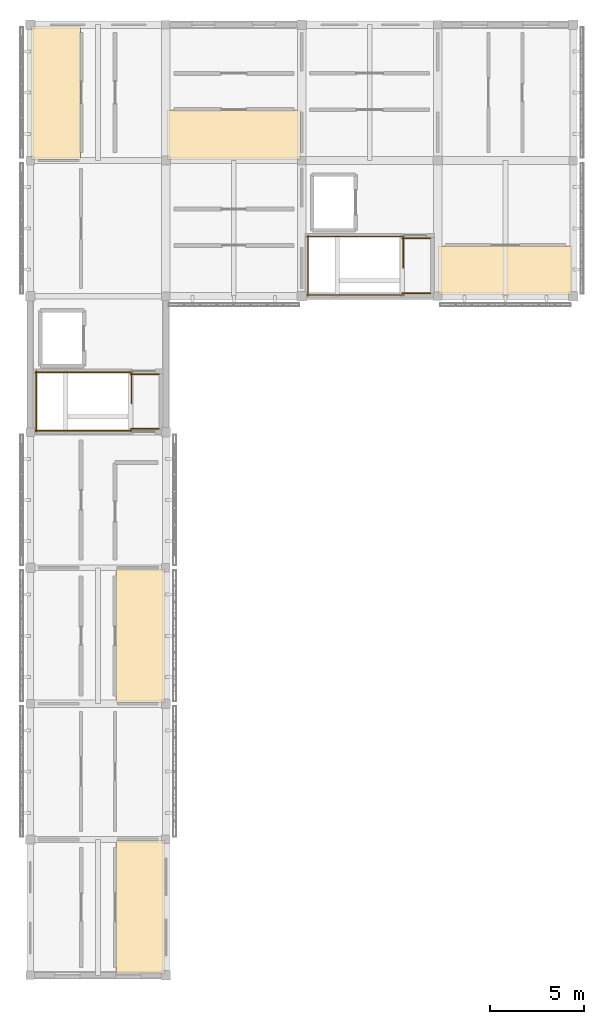
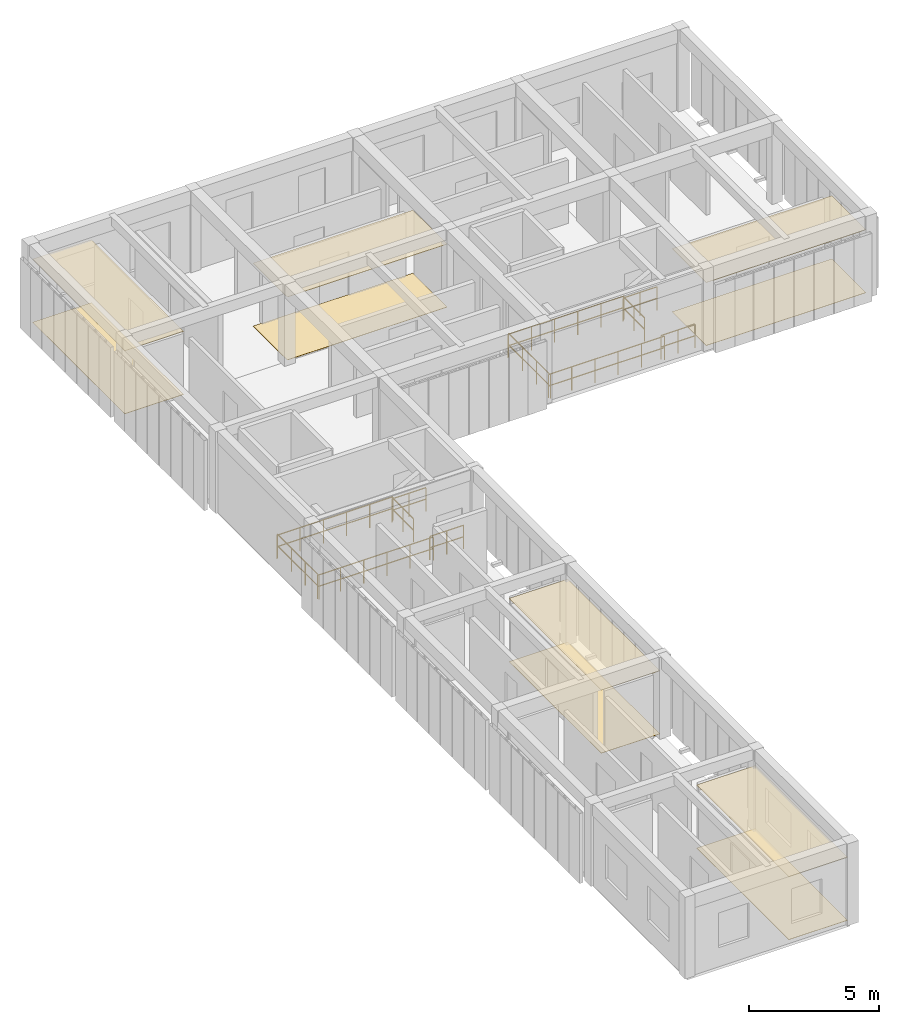
# One storey, part 14 of 14: 12 railings, 10 coverings.
"""IFC4 building model written with IfcOpenShell, lengths in metres."""

import ifcopenshell
import ifcopenshell.guid

model = None  # the IFC model being written
_history = None  # IfcOwnerHistory: only IFC2X3 demands one
_inside = {}  # id of a spatial element -> (the spatial element, [elements in it])
_under = {}  # id of a project, library or spatial element -> (it, [spatial elements below it])
_declared = {}  # id of a project -> (the project, [libraries it declares])
_typed = {}  # id of a type object -> (the type object, [elements of that type])
_made_of = {}  # id of a material, layer set ... -> (it, [elements and type objects made of it])


def new_model(schema):
    """Start an empty IFC model of exactly this schema.

    Asked for "IFC4X3", IfcOpenShell would pick the latest addendum, in which some entities
    have other attributes; the version numbers below select the first issue.
    IFC2X3 requires an IfcOwnerHistory on every rooted entity: one is made here for all.
    """
    global model, _history
    if schema == "IFC4X3":
        model = ifcopenshell.file(schema_version=(4, 3, 0, 0))
    else:
        model = ifcopenshell.file(schema=schema)
    _inside.clear()
    _under.clear()
    _declared.clear()
    _typed.clear()
    _made_of.clear()
    _history = None
    if model.schema == "IFC2X3":
        org = make("IfcOrganization", Name="unknown")
        user = make(
            "IfcPersonAndOrganization",
            ThePerson=make("IfcPerson", FamilyName="unknown"),
            TheOrganization=org,
        )
        app = make(
            "IfcApplication",
            ApplicationDeveloper=org,
            Version="unknown",
            ApplicationFullName="unknown",
            ApplicationIdentifier="unknown",
        )
        _history = make(
            "IfcOwnerHistory",
            OwningUser=user,
            OwningApplication=app,
            ChangeAction="ADDED",
            CreationDate=0,
        )
    return model


def make(cls, **values):
    """One entity of the class cls with the attributes given. An attribute that is None is left unset."""
    return model.create_entity(
        cls, **{name: value for name, value in values.items() if value is not None}
    )


def rooted(cls, **values):
    """An entity with a GlobalId (a new one), such as an element, a storey or a relation."""
    return make(cls, GlobalId=ifcopenshell.guid.new(), OwnerHistory=_history, **values)


def si_unit(unit_type, name, prefix=None):
    """IfcSIUnit, for example si_unit("LENGTHUNIT", "METRE", prefix="MILLI")."""
    return make("IfcSIUnit", UnitType=unit_type, Prefix=prefix, Name=name)


def assignment(units):
    """IfcUnitAssignment: the units of a project."""
    return None if units is None else make("IfcUnitAssignment", Units=units)


def point(xyz):
    """IfcCartesianPoint."""
    return None if xyz is None else make("IfcCartesianPoint", Coordinates=xyz)


def direction(xyz):
    """IfcDirection."""
    return None if xyz is None else make("IfcDirection", DirectionRatios=xyz)


def frame(location, z_axis=None, x_axis=None):
    """IfcAxis2Placement3D, a coordinate frame: its origin and axes. An axis left out is left unset."""
    return make(
        "IfcAxis2Placement3D",
        Location=point(location),
        Axis=direction(z_axis),
        RefDirection=direction(x_axis),
    )


def frame_2d(location, x_axis=None):
    """IfcAxis2Placement2D, a coordinate frame in the plane: its origin and x axis."""
    return make(
        "IfcAxis2Placement2D", Location=point(location), RefDirection=direction(x_axis)
    )


def origin():
    """The frame at (0, 0, 0) with its axes left unset."""
    return frame((0.0, 0.0, 0.0))


def origin_2d():
    """The frame at (0, 0) in the plane with its x axis left unset."""
    return frame_2d((0.0, 0.0))


def place(relative_to, where):
    """IfcLocalPlacement: puts the frame where relative to a parent placement (None: the world)."""
    return make(
        "IfcLocalPlacement", PlacementRelTo=relative_to, RelativePlacement=where
    )


def context(
    kind, dimensions, precision=None, world=None, true_north=None, identifier=None
):
    """IfcGeometricRepresentationContext, for example the 3D "Model" context."""
    return make(
        "IfcGeometricRepresentationContext",
        ContextIdentifier=identifier,
        ContextType=kind,
        CoordinateSpaceDimension=dimensions,
        Precision=precision,
        WorldCoordinateSystem=world,
        TrueNorth=true_north,
    )


def subcontext(parent, identifier, kind, view, scale=None):
    """IfcGeometricRepresentationSubContext, for example "Body" below "Model"."""
    return make(
        "IfcGeometricRepresentationSubContext",
        ContextIdentifier=identifier,
        ContextType=kind,
        ParentContext=parent,
        TargetScale=scale,
        TargetView=view,
    )


def project(units=None, contexts=None):
    """IfcProject with its units and contexts."""
    return rooted(
        "IfcProject",
        Name="project",
        RepresentationContexts=contexts,
        UnitsInContext=assignment(units),
    )


def spatial(cls, under=None, at=None, **own):
    """A site, building, storey or space (cls), placed at a placement, below another one or the project."""
    s = rooted(cls, ObjectPlacement=at, **own)
    if under is not None:
        _under.setdefault(under.id(), (under, []))[1].append(s)
    return s


def polyline(points):
    """IfcPolyline through the points."""
    return make("IfcPolyline", Points=[point(p) for p in points])


def profile(cls, at=None, kind="AREA", **sizes):
    """A parametric profile (cls). Its sizes go by their IFC names, for example OverallWidth=200.0."""
    return make(cls, ProfileType=kind, Position=at, **sizes)


def circle(**sizes):
    """IfcCircleProfileDef."""
    return profile("IfcCircleProfileDef", **sizes)


def outline(outer, holes=None, kind="AREA"):
    """IfcArbitraryClosedProfileDef: a profile drawn as a closed curve; with holes, ...WithVoids."""
    if holes is None:
        return make("IfcArbitraryClosedProfileDef", ProfileType=kind, OuterCurve=outer)
    return make(
        "IfcArbitraryProfileDefWithVoids",
        ProfileType=kind,
        OuterCurve=outer,
        InnerCurves=holes,
    )


def extrude(swept, where, along, depth):
    """IfcExtrudedAreaSolid: the profile swept, set in the frame where, extruded along a direction by depth."""
    return make(
        "IfcExtrudedAreaSolid",
        SweptArea=swept,
        Position=where,
        ExtrudedDirection=direction(along),
        Depth=depth,
    )


def shape(context_of_items, identifier, shape_type, items):
    """IfcShapeRepresentation: the items that make up one representation, for example the "Body"."""
    return make(
        "IfcShapeRepresentation",
        ContextOfItems=context_of_items,
        RepresentationIdentifier=identifier,
        RepresentationType=shape_type,
        Items=items,
    )


def material(Name=None, Category=None):
    """IfcMaterial."""
    return make("IfcMaterial", Name=Name, Category=Category)


def layer(
    of_material, thickness, ventilated=None, Name=None, Category=None, Priority=None
):
    """IfcMaterialLayer: one layer of a wall or slab, of a material (None: an air gap)."""
    return make(
        "IfcMaterialLayer",
        Material=of_material,
        LayerThickness=thickness,
        IsVentilated=ventilated,
        Name=Name,
        Category=Category,
        Priority=Priority,
    )


def layer_set(layers, Name=None):
    """IfcMaterialLayerSet."""
    return make("IfcMaterialLayerSet", MaterialLayers=layers, LayerSetName=Name)


def made_of(thing, what):
    """Note that an element or type object is made of a material, layer set ...; save() writes the relation."""
    if what is not None:
        _made_of.setdefault(what.id(), (what, []))[1].append(thing)
    return thing


def type_object(cls, material=None, **own):
    """A type object (cls), such as IfcWallType, which elements share."""
    return made_of(rooted(cls, **own), material)


def element(
    cls,
    number,
    at=None,
    inside=None,
    cuts=None,
    type_object=None,
    material=None,
    context=None,
    identifier="Body",
    shape_type=None,
    held_by="IfcProductDefinitionShape",
    body=None,
    shapes=None,
    **own,
):
    """One element of the class cls, such as IfcWall. Its Tag is "e" and its number.

    at: its placement. inside: the storey or other place that contains it. cuts: it is an
    opening in that element (IfcRelVoidsElement). A single representation is given by context,
    identifier, shape_type and body (its items); several are given by shapes. held_by: the class
    of the entity that holds the representations. save() writes the other relations.
    """
    e = rooted(cls, Tag="e%d" % number, ObjectPlacement=at, **own)
    if body is not None:
        shapes = [shape(context, identifier, shape_type, body)]
    if shapes is not None:
        e.Representation = make(held_by, Representations=shapes)
    if inside is not None:
        _inside.setdefault(inside.id(), (inside, []))[1].append(e)
    if cuts is not None:
        rooted(
            "IfcRelVoidsElement", RelatingBuildingElement=cuts, RelatedOpeningElement=e
        )
    if type_object is not None:
        _typed.setdefault(type_object.id(), (type_object, []))[1].append(e)
    return made_of(e, material)


def aggregate(whole, parts):
    """IfcRelAggregates: a whole, such as a stair, and the parts it consists of."""
    return rooted("IfcRelAggregates", RelatingObject=whole, RelatedObjects=parts)


def save(model, path):
    """Write the relations noted so far, then the file.

    IfcRelAggregates (storeys below a building ...), IfcRelContainedInSpatialStructure (elements
    in a storey), IfcRelDefinesByType, IfcRelAssociatesMaterial and IfcRelDeclares: one each for
    every whole, place, type object, material and project.
    """
    for whole, parts in _under.values():
        aggregate(whole, parts)
    for where, things in _inside.values():
        rooted(
            "IfcRelContainedInSpatialStructure",
            RelatedElements=things,
            RelatingStructure=where,
        )
    for kind, things in _typed.values():
        rooted("IfcRelDefinesByType", RelatedObjects=things, RelatingType=kind)
    for what, things in _made_of.values():
        rooted("IfcRelAssociatesMaterial", RelatedObjects=things, RelatingMaterial=what)
    for by, libraries in _declared.values():
        rooted("IfcRelDeclares", RelatingContext=by, RelatedDefinitions=libraries)
    model.write(path)


model = new_model("IFC4")

# Units and contexts
model_context = context("Model", 3, precision=1e-05, world=origin(), true_north=direction((0.0, 1.0)))
body_context = subcontext(model_context, "Body", "Model", "MODEL_VIEW")
ifc_project = project(units=[si_unit("LENGTHUNIT", "METRE"), si_unit("AREAUNIT", "SQUARE_METRE"), si_unit("VOLUMEUNIT", "CUBIC_METRE"), si_unit("PLANEANGLEUNIT", "RADIAN"), si_unit("MASSUNIT", "GRAM", prefix="KILO")], contexts=[model_context])

# Site, building, storey
site_placement = place(None, origin())
site = spatial("IfcSite", under=ifc_project, at=site_placement, CompositionType="ELEMENT")
building_placement = place(site_placement, origin())
building = spatial("IfcBuilding", under=site, at=building_placement, Name="Aldebral Square Health Centre", CompositionType="ELEMENT")
storey_placement = place(building_placement, frame((0.0, 0.0, 21.60009765625)))
storey = spatial("IfcBuildingStorey", under=building, at=storey_placement, Name="L05", CompositionType="ELEMENT", Elevation=21.60009765625)

# Coverings
ifc_material_1 = material(Name="Hygienic acoustic mineral ceiling tile")
ifc_layer_1 = layer(ifc_material_1, 0.02001953125, Name="Hygienic acoustic mineral ceiling tile")
ifc_layer_set_1 = layer_set([ifc_layer_1], Name="Hygienic acoustic mineral ceiling tile")
covering_type_1 = type_object("IfcCoveringType", Name="COV-CLG-AC", PredefinedType="CEILING", material=ifc_layer_set_1)
covering_1_placement = place(storey_placement, frame((0.0, 0.0, 2.949951171875)))
element("IfcCovering", 1, at=covering_1_placement, inside=storey, type_object=covering_type_1, Name="L05 Epidemiology Surveillance Office 1.10E acoustic ceiling", PredefinedType="CEILING", context=body_context, shape_type="SweptSolid", body=[
    extrude(outline(polyline([(4.5400390625, 64.860107421875), (7.139892578125, 64.860107421875), (7.139892578125, 71.93994140625), (4.5400390625, 71.93994140625), (4.5400390625, 64.860107421875)])), origin(), (0.0, 0.0, 1.0), 0.02001953125),
])
covering_2_placement = place(storey_placement, frame((0.0, 0.0, 2.949951171875)))
element("IfcCovering", 2, at=covering_2_placement, inside=storey, type_object=covering_type_1, Name="L05 Rooftop AHU Plant Room 1.12E acoustic ceiling", PredefinedType="CEILING", context=body_context, shape_type="SweptSolid", body=[
    extrude(outline(polyline([(4.5400390625, 79.260009765625), (7.139892578125, 79.260009765625), (7.139892578125, 86.340087890625), (4.5400390625, 86.340087890625), (4.5400390625, 79.260009765625)])), origin(), (0.0, 0.0, 1.0), 0.02001953125),
])
covering_3_placement = place(storey_placement, frame((0.0, 0.0, 2.949951171875)))
element("IfcCovering", 3, at=covering_3_placement, inside=storey, type_object=covering_type_1, Name="L05 Clinical Governance Suite 1.16W acoustic ceiling", PredefinedType="CEILING", context=body_context, shape_type="SweptSolid", body=[
    extrude(outline(polyline([(0.06005859375, 108.06005859375), (2.659912109375, 108.06005859375), (2.659912109375, 115.139892578125), (0.06005859375, 115.139892578125), (0.06005859375, 108.06005859375)])), origin(), (0.0, 0.0, 1.0), 0.02001953125),
])
covering_4_placement = place(storey_placement, frame((0.0, 0.0, 2.949951171875)))
element("IfcCovering", 4, at=covering_4_placement, inside=storey, type_object=covering_type_1, Name="L05 Accessible WC 2.16S acoustic ceiling", PredefinedType="CEILING", context=body_context, shape_type="SweptSolid", body=[
    extrude(outline(polyline([(7.260009765625, 108.06005859375), (14.340087890625, 108.06005859375), (14.340087890625, 110.679931640625), (7.260009765625, 110.679931640625), (7.260009765625, 108.06005859375)])), origin(), (0.0, 0.0, 1.0), 0.02001953125),
])
covering_5_placement = place(storey_placement, frame((0.0, 0.0, 2.949951171875)))
element("IfcCovering", 5, at=covering_5_placement, inside=storey, type_object=covering_type_1, Name="L05 Telemedicine Consultation Room 4.15S acoustic ceiling", PredefinedType="CEILING", context=body_context, shape_type="SweptSolid", body=[
    extrude(outline(polyline([(21.659912109375, 100.860107421875), (28.739990234375, 100.860107421875), (28.739990234375, 103.47998046875), (21.659912109375, 103.47998046875), (21.659912109375, 100.860107421875)])), origin(), (0.0, 0.0, 1.0), 0.02001953125),
])
ifc_material_2 = material(Name="Antimicrobial clinical vinyl flooring")
ifc_layer_2 = layer(ifc_material_2, 0.014892578125, Name="Antimicrobial clinical vinyl flooring")
ifc_layer_set_2 = layer_set([ifc_layer_2], Name="Antimicrobial clinical vinyl flooring")
covering_type_2 = type_object("IfcCoveringType", Name="COV-FLR-VN", PredefinedType="FLOORING", material=ifc_layer_set_2)
covering_6_placement = place(storey_placement, origin())
element("IfcCovering", 6, at=covering_6_placement, inside=storey, type_object=covering_type_2, Name="L05 Epidemiology Surveillance Office 1.10E clinical flooring", PredefinedType="FLOORING", context=body_context, shape_type="SweptSolid", body=[
    extrude(outline(polyline([(4.5400390625, 64.860107421875), (7.139892578125, 64.860107421875), (7.139892578125, 71.93994140625), (4.5400390625, 71.93994140625), (4.5400390625, 64.860107421875)])), origin(), (0.0, 0.0, 1.0), 0.014892578125),
])
covering_7_placement = place(storey_placement, origin())
element("IfcCovering", 7, at=covering_7_placement, inside=storey, type_object=covering_type_2, Name="L05 Rooftop AHU Plant Room 1.12E clinical flooring", PredefinedType="FLOORING", context=body_context, shape_type="SweptSolid", body=[
    extrude(outline(polyline([(4.5400390625, 79.260009765625), (7.139892578125, 79.260009765625), (7.139892578125, 86.340087890625), (4.5400390625, 86.340087890625), (4.5400390625, 79.260009765625)])), origin(), (0.0, 0.0, 1.0), 0.014892578125),
])
covering_8_placement = place(storey_placement, origin())
element("IfcCovering", 8, at=covering_8_placement, inside=storey, type_object=covering_type_2, Name="L05 Clinical Governance Suite 1.16W clinical flooring", PredefinedType="FLOORING", context=body_context, shape_type="SweptSolid", body=[
    extrude(outline(polyline([(0.06005859375, 108.06005859375), (2.659912109375, 108.06005859375), (2.659912109375, 115.139892578125), (0.06005859375, 115.139892578125), (0.06005859375, 108.06005859375)])), origin(), (0.0, 0.0, 1.0), 0.014892578125),
])
covering_9_placement = place(storey_placement, origin())
element("IfcCovering", 9, at=covering_9_placement, inside=storey, type_object=covering_type_2, Name="L05 Accessible WC 2.16S clinical flooring", PredefinedType="FLOORING", context=body_context, shape_type="SweptSolid", body=[
    extrude(outline(polyline([(7.260009765625, 108.06005859375), (14.340087890625, 108.06005859375), (14.340087890625, 110.679931640625), (7.260009765625, 110.679931640625), (7.260009765625, 108.06005859375)])), origin(), (0.0, 0.0, 1.0), 0.014892578125),
])
covering_10_placement = place(storey_placement, origin())
element("IfcCovering", 10, at=covering_10_placement, inside=storey, type_object=covering_type_2, Name="L05 Telemedicine Consultation Room 4.15S clinical flooring", PredefinedType="FLOORING", context=body_context, shape_type="SweptSolid", body=[
    extrude(outline(polyline([(21.659912109375, 100.860107421875), (28.739990234375, 100.860107421875), (28.739990234375, 103.47998046875), (21.659912109375, 103.47998046875), (21.659912109375, 100.860107421875)])), origin(), (0.0, 0.0, 1.0), 0.014892578125),
])

# Railings
ifc_material_3 = material(Name="Painted steel S355JR stair guard", Category="steel")
railing_type = type_object("IfcRailingType", Name="RL-ST-GRD", PredefinedType="GUARDRAIL", material=ifc_material_3)
railing_1_placement = place(storey_placement, frame((5.3701171875, 96.719970703125, 0.0)))
element("IfcRailing", 11, at=railing_1_placement, inside=storey, type_object=railing_type, Name="L05 ST-01 top well guard 1", PredefinedType="GUARDRAIL", context=body_context, shape_type="SweptSolid", body=[
    extrude(circle(Radius=0.02392578125, at=origin_2d()), frame((0.0, 0.0, 1.09619140625), z_axis=(0.0, -1.0, 0.0), x_axis=(1.0, 0.0, 0.0)), (0.0, 0.0, 1.0), 1.599853515625),
    extrude(circle(Radius=0.02392578125, at=origin_2d()), frame((0.0, 0.0, 0.56005859375), z_axis=(0.0, -1.0, 0.0), x_axis=(1.0, 0.0, 0.0)), (0.0, 0.0, 1.0), 1.599853515625),
    extrude(circle(Radius=0.02099609375, at=origin_2d()), origin(), (0.0, 0.0, 1.0), 1.072021484375),
    extrude(circle(Radius=0.02099609375, at=origin_2d()), frame((0.0, -0.7998046875, 0.0)), (0.0, 0.0, 1.0), 1.072021484375),
    extrude(circle(Radius=0.02099609375, at=origin_2d()), frame((0.0, -1.599853515625, 0.0)), (0.0, 0.0, 1.0), 1.072021484375),
])
for number, where, name in (
    (12, (5.419921875, 96.77001953125, 0.0), "L05 ST-01 top well guard 2"),
    (13, (5.419921875, 93.669921875, 0.0), "L05 ST-01 top well guard 3"),
):
    element("IfcRailing", number, at=place(storey_placement, frame(where)), inside=storey, type_object=railing_type, Name=name, PredefinedType="GUARDRAIL", context=body_context, shape_type="SweptSolid", body=[
        extrude(circle(Radius=0.02392578125, at=origin_2d()), frame((0.0, 0.0, 1.09619140625), z_axis=(-1.0, 0.0, 0.0), x_axis=(0.0, -1.0, 0.0)), (0.0, 0.0, 1.0), 5.139892578125),
        extrude(circle(Radius=0.02392578125, at=origin_2d()), frame((0.0, 0.0, 0.56005859375), z_axis=(-1.0, 0.0, 0.0), x_axis=(0.0, -1.0, 0.0)), (0.0, 0.0, 1.0), 5.139892578125),
        extrude(circle(Radius=0.02099609375, at=origin_2d()), origin(), (0.0, 0.0, 1.0), 1.072021484375),
        extrude(circle(Radius=0.02099609375, at=origin_2d()), frame((-1.028076171875, 0.0, 0.0)), (0.0, 0.0, 1.0), 1.072021484375),
        extrude(circle(Radius=0.02099609375, at=origin_2d()), frame((-2.055908203125, 0.0, 0.0)), (0.0, 0.0, 1.0), 1.072021484375),
        extrude(circle(Radius=0.02099609375, at=origin_2d()), frame((-3.083984375, 0.0, 0.0)), (0.0, 0.0, 1.0), 1.072021484375),
        extrude(circle(Radius=0.02099609375, at=origin_2d()), frame((-4.11181640625, 0.0, 0.0)), (0.0, 0.0, 1.0), 1.072021484375),
        extrude(circle(Radius=0.02099609375, at=origin_2d()), frame((-5.139892578125, 0.0, 0.0)), (0.0, 0.0, 1.0), 1.072021484375),
    ])
railing_2_placement = place(storey_placement, frame((0.330078125, 96.820068359375, 0.0)))
element("IfcRailing", 14, at=railing_2_placement, inside=storey, type_object=railing_type, Name="L05 ST-01 top well guard 4", PredefinedType="GUARDRAIL", context=body_context, shape_type="SweptSolid", body=[
    extrude(circle(Radius=0.02392578125, at=origin_2d()), frame((0.0, 0.0, 1.09619140625), z_axis=(0.0, -1.0, 0.0), x_axis=(1.0, 0.0, 0.0)), (0.0, 0.0, 1.0), 3.199951171875),
    extrude(circle(Radius=0.02392578125, at=origin_2d()), frame((0.0, 0.0, 0.56005859375), z_axis=(0.0, -1.0, 0.0), x_axis=(1.0, 0.0, 0.0)), (0.0, 0.0, 1.0), 3.199951171875),
    extrude(circle(Radius=0.02099609375, at=origin_2d()), origin(), (0.0, 0.0, 1.0), 1.072021484375),
    extrude(circle(Radius=0.02099609375, at=origin_2d()), frame((0.0, -1.066650390625, 0.0)), (0.0, 0.0, 1.0), 1.072021484375),
    extrude(circle(Radius=0.02099609375, at=origin_2d()), frame((0.0, -2.13330078125, 0.0)), (0.0, 0.0, 1.0), 1.072021484375),
    extrude(circle(Radius=0.02099609375, at=origin_2d()), frame((0.0, -3.199951171875, 0.0)), (0.0, 0.0, 1.0), 1.072021484375),
])
for number, where, name in (
    (15, (6.820068359375, 96.669921875, 0.0), "L05 ST-01 top well guard 5"),
    (16, (6.820068359375, 93.77001953125, 0.0), "L05 ST-01 top well guard 6"),
):
    element("IfcRailing", number, at=place(storey_placement, frame(where)), inside=storey, type_object=railing_type, Name=name, PredefinedType="GUARDRAIL", context=body_context, shape_type="SweptSolid", body=[
        extrude(circle(Radius=0.02392578125, at=origin_2d()), frame((0.0, 0.0, 1.09619140625), z_axis=(-1.0, 0.0, 0.0), x_axis=(0.0, -1.0, 0.0)), (0.0, 0.0, 1.0), 1.5),
        extrude(circle(Radius=0.02392578125, at=origin_2d()), frame((0.0, 0.0, 0.56005859375), z_axis=(-1.0, 0.0, 0.0), x_axis=(0.0, -1.0, 0.0)), (0.0, 0.0, 1.0), 1.5),
        extrude(circle(Radius=0.02099609375, at=origin_2d()), origin(), (0.0, 0.0, 1.0), 1.072021484375),
        extrude(circle(Radius=0.02099609375, at=origin_2d()), frame((-0.75, 0.0, 0.0)), (0.0, 0.0, 1.0), 1.072021484375),
        extrude(circle(Radius=0.02099609375, at=origin_2d()), frame((-1.5, 0.0, 0.0)), (0.0, 0.0, 1.0), 1.072021484375),
    ])
railing_3_placement = place(storey_placement, frame((19.77001953125, 103.919921875, 0.0)))
element("IfcRailing", 17, at=railing_3_placement, inside=storey, type_object=railing_type, Name="L05 ST-02 top well guard 1", PredefinedType="GUARDRAIL", context=body_context, shape_type="SweptSolid", body=[
    extrude(circle(Radius=0.02392578125, at=origin_2d()), frame((0.0, 0.0, 1.09619140625), z_axis=(0.0, -1.0, 0.0), x_axis=(1.0, 0.0, 0.0)), (0.0, 0.0, 1.0), 1.599853515625),
    extrude(circle(Radius=0.02392578125, at=origin_2d()), frame((0.0, 0.0, 0.56005859375), z_axis=(0.0, -1.0, 0.0), x_axis=(1.0, 0.0, 0.0)), (0.0, 0.0, 1.0), 1.599853515625),
    extrude(circle(Radius=0.02099609375, at=origin_2d()), origin(), (0.0, 0.0, 1.0), 1.072021484375),
    extrude(circle(Radius=0.02099609375, at=origin_2d()), frame((0.0, -0.7998046875, 0.0)), (0.0, 0.0, 1.0), 1.072021484375),
    extrude(circle(Radius=0.02099609375, at=origin_2d()), frame((0.0, -1.599853515625, 0.0)), (0.0, 0.0, 1.0), 1.072021484375),
])
for number, where, name in (
    (18, (19.820068359375, 103.969970703125, 0.0), "L05 ST-02 top well guard 2"),
    (19, (19.820068359375, 100.8701171875, 0.0), "L05 ST-02 top well guard 3"),
):
    element("IfcRailing", number, at=place(storey_placement, frame(where)), inside=storey, type_object=railing_type, Name=name, PredefinedType="GUARDRAIL", context=body_context, shape_type="SweptSolid", body=[
        extrude(circle(Radius=0.02392578125, at=origin_2d()), frame((0.0, 0.0, 1.09619140625), z_axis=(-1.0, 0.0, 0.0), x_axis=(0.0, -1.0, 0.0)), (0.0, 0.0, 1.0), 5.14013671875),
        extrude(circle(Radius=0.02392578125, at=origin_2d()), frame((0.0, 0.0, 0.56005859375), z_axis=(-1.0, 0.0, 0.0), x_axis=(0.0, -1.0, 0.0)), (0.0, 0.0, 1.0), 5.14013671875),
        extrude(circle(Radius=0.02099609375, at=origin_2d()), origin(), (0.0, 0.0, 1.0), 1.072021484375),
        extrude(circle(Radius=0.02099609375, at=origin_2d()), frame((-1.028076171875, 0.0, 0.0)), (0.0, 0.0, 1.0), 1.072021484375),
        extrude(circle(Radius=0.02099609375, at=origin_2d()), frame((-2.05615234375, 0.0, 0.0)), (0.0, 0.0, 1.0), 1.072021484375),
        extrude(circle(Radius=0.02099609375, at=origin_2d()), frame((-3.083984375, 0.0, 0.0)), (0.0, 0.0, 1.0), 1.072021484375),
        extrude(circle(Radius=0.02099609375, at=origin_2d()), frame((-4.112060546875, 0.0, 0.0)), (0.0, 0.0, 1.0), 1.072021484375),
        extrude(circle(Radius=0.02099609375, at=origin_2d()), frame((-5.14013671875, 0.0, 0.0)), (0.0, 0.0, 1.0), 1.072021484375),
    ])
railing_4_placement = place(storey_placement, frame((14.72998046875, 104.02001953125, 0.0)))
element("IfcRailing", 20, at=railing_4_placement, inside=storey, type_object=railing_type, Name="L05 ST-02 top well guard 4", PredefinedType="GUARDRAIL", context=body_context, shape_type="SweptSolid", body=[
    extrude(circle(Radius=0.02392578125, at=origin_2d()), frame((0.0, 0.0, 1.09619140625), z_axis=(0.0, -1.0, 0.0), x_axis=(1.0, 0.0, 0.0)), (0.0, 0.0, 1.0), 3.199951171875),
    extrude(circle(Radius=0.02392578125, at=origin_2d()), frame((0.0, 0.0, 0.56005859375), z_axis=(0.0, -1.0, 0.0), x_axis=(1.0, 0.0, 0.0)), (0.0, 0.0, 1.0), 3.199951171875),
    extrude(circle(Radius=0.02099609375, at=origin_2d()), origin(), (0.0, 0.0, 1.0), 1.072021484375),
    extrude(circle(Radius=0.02099609375, at=origin_2d()), frame((0.0, -1.066650390625, 0.0)), (0.0, 0.0, 1.0), 1.072021484375),
    extrude(circle(Radius=0.02099609375, at=origin_2d()), frame((0.0, -2.13330078125, 0.0)), (0.0, 0.0, 1.0), 1.072021484375),
    extrude(circle(Radius=0.02099609375, at=origin_2d()), frame((0.0, -3.199951171875, 0.0)), (0.0, 0.0, 1.0), 1.072021484375),
])
for number, where, name in (
    (21, (21.219970703125, 103.8701171875, 0.0), "L05 ST-02 top well guard 5"),
    (22, (21.219970703125, 100.969970703125, 0.0), "L05 ST-02 top well guard 6"),
):
    element("IfcRailing", number, at=place(storey_placement, frame(where)), inside=storey, type_object=railing_type, Name=name, PredefinedType="GUARDRAIL", context=body_context, shape_type="SweptSolid", body=[
        extrude(circle(Radius=0.02392578125, at=origin_2d()), frame((0.0, 0.0, 1.09619140625), z_axis=(-1.0, 0.0, 0.0), x_axis=(0.0, -1.0, 0.0)), (0.0, 0.0, 1.0), 1.5),
        extrude(circle(Radius=0.02392578125, at=origin_2d()), frame((0.0, 0.0, 0.56005859375), z_axis=(-1.0, 0.0, 0.0), x_axis=(0.0, -1.0, 0.0)), (0.0, 0.0, 1.0), 1.5),
        extrude(circle(Radius=0.02099609375, at=origin_2d()), origin(), (0.0, 0.0, 1.0), 1.072021484375),
        extrude(circle(Radius=0.02099609375, at=origin_2d()), frame((-0.75, 0.0, 0.0)), (0.0, 0.0, 1.0), 1.072021484375),
        extrude(circle(Radius=0.02099609375, at=origin_2d()), frame((-1.5, 0.0, 0.0)), (0.0, 0.0, 1.0), 1.072021484375),
    ])

save(model, "model.ifc")
